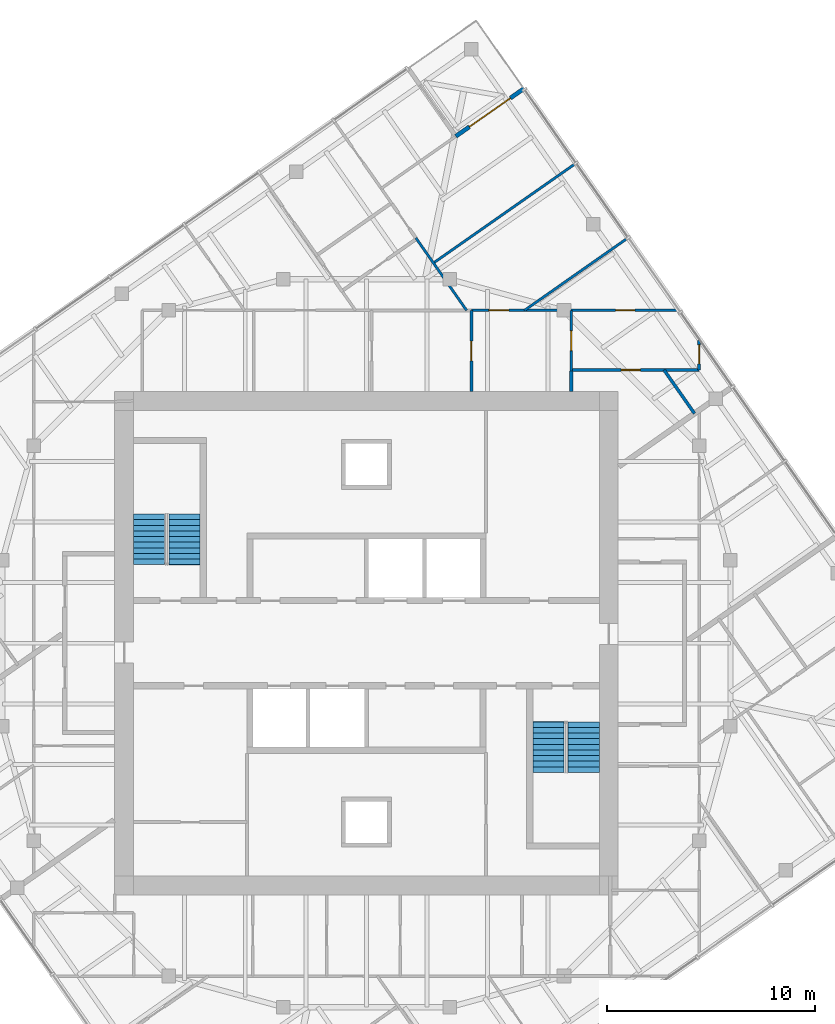
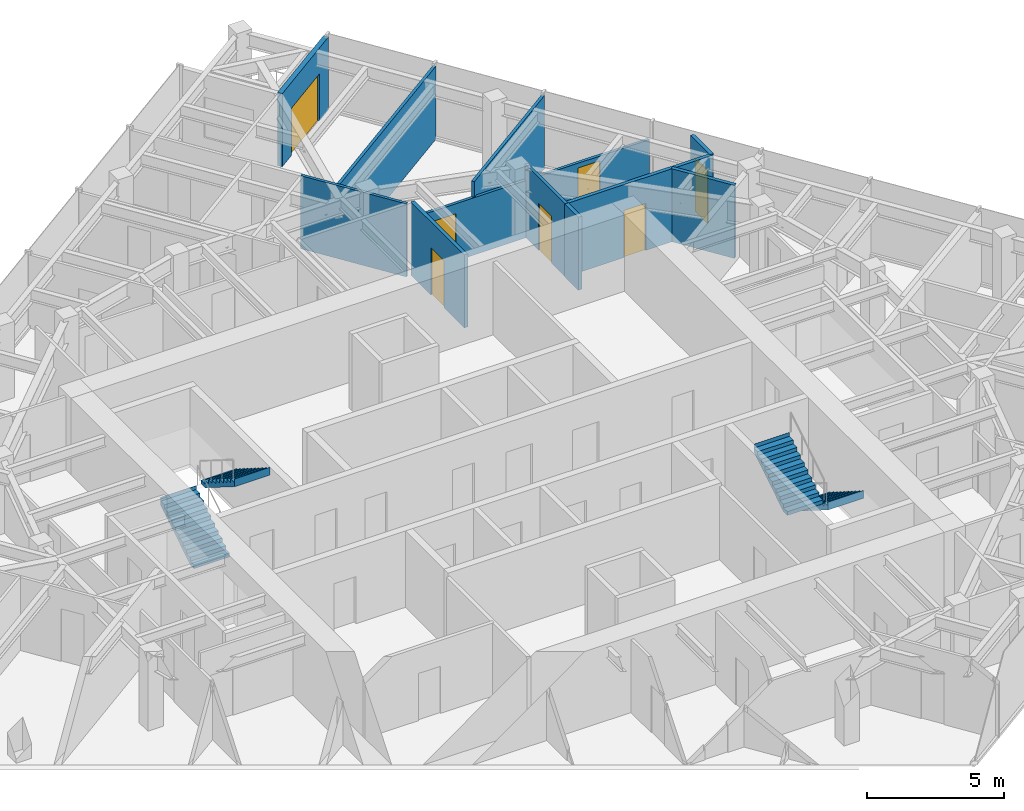
# One storey, part 11 of 12: 11 walls, 7 doors, 4 stair flights, 7 openings, 2 elements without a shape of their own.
"""IFC4 building model written with IfcOpenShell, lengths in metres."""

from ifc_helpers import new_model, si_unit, direction, frame, frame_2d, origin, place, context, subcontext, project, spatial, polyline, rectangle, outline, extrude, material, layer, layer_set, type_object, element, fill, aggregate, save


model = new_model("IFC4")

# Units and contexts
model_context = context("Model", 3, precision=1e-05, world=origin(), true_north=direction((0.0, 1.0)))
body_context = subcontext(model_context, "Body", "Model", "MODEL_VIEW")
ifc_project = project(units=[si_unit("LENGTHUNIT", "METRE"), si_unit("AREAUNIT", "SQUARE_METRE"), si_unit("VOLUMEUNIT", "CUBIC_METRE"), si_unit("PLANEANGLEUNIT", "RADIAN"), si_unit("MASSUNIT", "GRAM", prefix="KILO")], contexts=[model_context])

# Site, building, storey
site_placement = place(None, origin())
site = spatial("IfcSite", under=ifc_project, at=site_placement, CompositionType="ELEMENT")
building_placement = place(site_placement, origin())
building = spatial("IfcBuilding", under=site, at=building_placement, Name="Torsade Residences", CompositionType="ELEMENT")
storey_placement = place(building_placement, frame((0.0, 0.0, 254.0)))
storey = spatial("IfcBuildingStorey", under=building, at=storey_placement, Name="L70", CompositionType="ELEMENT", Elevation=254.0)

# Wall, opening, door
ifc_material_1 = material(Name="Plasterboard on steel stud", Category="steel")
ifc_layer_1 = layer(ifc_material_1, 0.1201171875)
ifc_layer_set_1 = layer_set([ifc_layer_1], Name="Plasterboard on steel stud")
wall_type_1 = type_object("IfcWallType", Name="PARTITION 120", PredefinedType="PARTITIONING", material=ifc_layer_set_1)
wall_1_placement = place(storey_placement, frame((49.849853515625, 46.0, 0.0), z_axis=(0.0, 0.0, 1.0), x_axis=(0.0, -1.0, 0.0)))
wall_1 = element("IfcWall", 1, at=wall_1_placement, inside=storey, type_object=wall_type_1, Name="Partition L70", PredefinedType="PARTITIONING", context=body_context, shape_type="SweptSolid", body=[
    extrude(rectangle(XDim=2.913330078125, YDim=0.1201171875, at=frame_2d((1.45654296875, 0.0))), origin(), (0.0, 0.0, 1.0), 3.25),
])
opening_1_placement = place(wall_1_placement, frame((0.976806640625, 0.0, 0.0)))
opening_1 = element("IfcOpeningElement", 2, at=opening_1_placement, cuts=wall_1, Name="Opening D05", PredefinedType="OPENING", context=body_context, shape_type="SweptSolid", body=[
    extrude(rectangle(XDim=0.9599609375, YDim=2.10009765625, at=frame_2d((0.47998046875, 1.050048828125))), frame((0.0, 0.070068359375, 0.0), z_axis=(0.0, -1.0, 0.0), x_axis=(1.0, 0.0, 0.0)), (0.0, 0.0, 1.0), 0.14013671875),
])
ifc_material_2 = material(Name="Hollow-core timber door in a steel cavity frame", Category="steel")
door_type_1 = type_object("IfcDoorType", Name="BATHROOM CAVITY SLIDING DOOR 960", OperationType="SLIDING_TO_LEFT", PredefinedType="DOOR", material=ifc_material_2)
door_1_placement = place(opening_1_placement, origin())
door_1 = element("IfcDoor", 3, at=door_1_placement, inside=storey, type_object=door_type_1, Name="Door Laundry to Study", OperationType="SLIDING_TO_LEFT", OverallHeight=2.10009765625, OverallWidth=0.9599609375, PredefinedType="DOOR", context=body_context, shape_type="SweptSolid", body=[
    extrude(rectangle(XDim=0.9599609375, YDim=2.10009765625, at=frame_2d((0.47998046875, 1.050048828125))), frame((0.0, 0.02490234375, 0.0), z_axis=(0.0, -1.0, 0.0), x_axis=(1.0, 0.0, 0.0)), (0.0, 0.0, 1.0), 0.050048828125),
])
fill(opening_1, door_1)

# Wall, openings, doors
wall_2_placement = place(storey_placement, frame((45.05126953125, 46.0, 0.0), z_axis=(0.0, 0.0, 1.0), x_axis=(1.0, 0.0, 0.0)))
wall_2 = element("IfcWall", 4, at=wall_2_placement, inside=storey, type_object=wall_type_1, Name="Partition L70", PredefinedType="PARTITIONING", context=body_context, shape_type="SweptSolid", body=[
    extrude(rectangle(XDim=9.943115234375, YDim=0.1201171875, at=frame_2d((4.9716796875, 0.0))), origin(), (0.0, 0.0, 1.0), 2.549072265625),
])
opening_2_placement = place(wall_2_placement, frame((0.83544921875, 0.0, 0.0)))
opening_2 = element("IfcOpeningElement", 5, at=opening_2_placement, cuts=wall_2, Name="Opening D05", PredefinedType="OPENING", context=body_context, shape_type="SweptSolid", body=[
    extrude(rectangle(XDim=0.9599609375, YDim=2.10009765625, at=frame_2d((0.47998046875, 1.050048828125))), frame((0.0, 0.070068359375, 0.0), z_axis=(0.0, -1.0, 0.0), x_axis=(1.0, 0.0, 0.0)), (0.0, 0.0, 1.0), 0.14013671875),
])
opening_3_placement = place(wall_2_placement, frame((6.935302734375, 0.0, 0.0)))
opening_3 = element("IfcOpeningElement", 6, at=opening_3_placement, cuts=wall_2, Name="Opening D02", PredefinedType="OPENING", context=body_context, shape_type="SweptSolid", body=[
    extrude(rectangle(XDim=0.919921875, YDim=2.340087890625, at=frame_2d((0.4599609375, 1.169921875))), frame((0.0, 0.070068359375, 0.0), z_axis=(0.0, -1.0, 0.0), x_axis=(1.0, 0.0, 0.0)), (0.0, 0.0, 1.0), 0.14013671875),
])
door_2_placement = place(opening_2_placement, origin())
door_2 = element("IfcDoor", 7, at=door_2_placement, inside=storey, type_object=door_type_1, Name="Door Laundry to Bedroom 2", OperationType="SLIDING_TO_LEFT", OverallHeight=2.10009765625, OverallWidth=0.9599609375, PredefinedType="DOOR", context=body_context, shape_type="SweptSolid", body=[
    extrude(rectangle(XDim=0.9599609375, YDim=2.10009765625, at=frame_2d((0.47998046875, 1.050048828125))), frame((0.0, 0.02490234375, 0.0), z_axis=(0.0, -1.0, 0.0), x_axis=(1.0, 0.0, 0.0)), (0.0, 0.0, 1.0), 0.050048828125),
])
fill(opening_2, door_2)
ifc_material_3 = material(Name="Hollow-core timber door", Category="wood")
door_type_2 = type_object("IfcDoorType", Name="INTERNAL DOOR 920x2340", OperationType="NOTDEFINED", PredefinedType="DOOR", material=ifc_material_3)
door_3_placement = place(opening_3_placement, origin())
door_3 = element("IfcDoor", 8, at=door_3_placement, inside=storey, type_object=door_type_2, Name="Door Study to Media room 2", OperationType="SINGLE_SWING_LEFT", OverallHeight=2.340087890625, OverallWidth=0.919921875, PredefinedType="DOOR", context=body_context, shape_type="SweptSolid", body=[
    extrude(rectangle(XDim=0.919921875, YDim=2.340087890625, at=frame_2d((0.4599609375, 1.169921875))), frame((0.0, 0.02490234375, 0.0), z_axis=(0.0, -1.0, 0.0), x_axis=(1.0, 0.0, 0.0)), (0.0, 0.0, 1.0), 0.050048828125),
])
fill(opening_3, door_3)

# Walls
wall_3_placement = place(storey_placement, frame((50.05078125, 53.060302734375, 0.0), z_axis=(0.0, 0.0, 1.0), x_axis=(-0.819152099525, -0.573576357466, 0.0)))
element("IfcWall", 9, at=wall_3_placement, inside=storey, type_object=wall_type_1, Name="Partition L70", PredefinedType="PARTITIONING", context=body_context, shape_type="SweptSolid", body=[
    extrude(rectangle(XDim=8.3349609375, YDim=0.1201171875, at=frame_2d((4.16748046875, 0.0))), origin(), (0.0, 0.0, 1.0), 3.25),
])
wall_4_placement = place(storey_placement, frame((44.8193359375, 46.0, 0.0), z_axis=(0.0, 0.0, 1.0), x_axis=(-0.573566368211, 0.819159093985, 0.0)))
element("IfcWall", 10, at=wall_4_placement, inside=storey, type_object=wall_type_1, Name="Partition L70", PredefinedType="PARTITIONING", context=body_context, shape_type="SweptSolid", body=[
    extrude(rectangle(XDim=4.252685546875, YDim=0.1201171875, at=frame_2d((2.12646484375, 0.0))), origin(), (0.0, 0.0, 1.0), 3.25),
])
wall_5_placement = place(storey_placement, frame((52.560302734375, 49.4765625, 0.0), z_axis=(0.0, 0.0, 1.0), x_axis=(-0.81915432861, -0.573573173989, 0.0)))
element("IfcWall", 11, at=wall_5_placement, inside=storey, type_object=wall_type_1, Name="Partition L70", PredefinedType="PARTITIONING", context=body_context, shape_type="SweptSolid", body=[
    extrude(rectangle(XDim=6.061279296875, YDim=0.1201171875, at=frame_2d((3.03076171875, 0.0))), origin(), (0.0, 0.0, 1.0), 3.25),
])

# Wall, opening, door
ifc_material_4 = material(Name="Reinforced blockwork", Category="masonry")
ifc_layer_2 = layer(ifc_material_4, 0.14990234375)
ifc_layer_set_2 = layer_set([ifc_layer_2], Name="Reinforced blockwork")
wall_type_2 = type_object("IfcWallType", Name="SERVICE ROOM WALL 150", PredefinedType="SOLIDWALL", material=ifc_layer_set_2)
wall_6_placement = place(storey_placement, frame((45.05126953125, 42.10009765625, 0.0), z_axis=(0.0, 0.0, 1.0), x_axis=(0.0, 1.0, 0.0)))
wall_6 = element("IfcWall", 12, at=wall_6_placement, inside=storey, type_object=wall_type_2, Name="Service room wall L70", PredefinedType="SOLIDWALL", context=body_context, shape_type="SweptSolid", body=[
    extrude(rectangle(XDim=3.89990234375, YDim=0.14990234375, at=frame_2d((1.949951171875, 0.0))), origin(), (0.0, 0.0, 1.0), 3.25),
])
opening_4_placement = place(wall_6_placement, frame((1.469970703125, 0.0, 0.0)))
opening_4 = element("IfcOpeningElement", 13, at=opening_4_placement, cuts=wall_6, Name="Opening D05", PredefinedType="OPENING", context=body_context, shape_type="SweptSolid", body=[
    extrude(rectangle(XDim=0.9599609375, YDim=2.10009765625, at=frame_2d((0.47998046875, 1.050048828125))), frame((0.0, 0.0849609375, 0.0), z_axis=(0.0, -1.0, 0.0), x_axis=(1.0, 0.0, 0.0)), (0.0, 0.0, 1.0), 0.169921875),
])
door_4_placement = place(opening_4_placement, origin())
door_4 = element("IfcDoor", 14, at=door_4_placement, inside=storey, type_object=door_type_1, Name="Door Linen store to Laundry", OperationType="SLIDING_TO_LEFT", OverallHeight=2.10009765625, OverallWidth=0.9599609375, PredefinedType="DOOR", context=body_context, shape_type="SweptSolid", body=[
    extrude(rectangle(XDim=0.9599609375, YDim=2.10009765625, at=frame_2d((0.47998046875, 1.050048828125))), frame((0.0, 0.02490234375, 0.0), z_axis=(0.0, -1.0, 0.0), x_axis=(1.0, 0.0, 0.0)), (0.0, 0.0, 1.0), 0.050048828125),
])
fill(opening_4, door_4)

# Wall
wall_7_placement = place(storey_placement, frame((49.849853515625, 43.086669921875, 0.0), z_axis=(0.0, 0.0, 1.0), x_axis=(0.0, -1.0, 0.0)))
element("IfcWall", 15, at=wall_7_placement, inside=storey, type_object=wall_type_2, Name="Service room wall L70", PredefinedType="SOLIDWALL", context=body_context, shape_type="SweptSolid", body=[
    extrude(rectangle(XDim=0.986572265625, YDim=0.14990234375, at=frame_2d((0.4931640625, 0.0))), origin(), (0.0, 0.0, 1.0), 3.25),
])

# Wall, opening, door
wall_8_placement = place(storey_placement, frame((56.0, 43.13671875, 0.0), z_axis=(0.0, 0.0, 1.0), x_axis=(-1.0, 0.0, 0.0)))
wall_8 = element("IfcWall", 16, at=wall_8_placement, inside=storey, type_object=wall_type_2, Name="Service room wall L70", PredefinedType="SOLIDWALL", context=body_context, shape_type="SweptSolid", body=[
    extrude(rectangle(XDim=6.150146484375, YDim=0.14990234375, at=frame_2d((3.0751953125, 0.0))), origin(), (0.0, 0.0, 1.0), 3.25),
])
opening_5_placement = place(wall_8_placement, frame((2.829345703125, 0.0, 0.0)))
opening_5 = element("IfcOpeningElement", 17, at=opening_5_placement, cuts=wall_8, Name="Opening D02L", PredefinedType="OPENING", context=body_context, shape_type="SweptSolid", body=[
    extrude(rectangle(XDim=0.919921875, YDim=2.10009765625, at=frame_2d((0.4599609375, 1.050048828125))), frame((0.0, 0.0849609375, 0.0), z_axis=(0.0, -1.0, 0.0), x_axis=(1.0, 0.0, 0.0)), (0.0, 0.0, 1.0), 0.169921875),
])
ifc_material_5 = material(Name="Hollow-core timber door", Category="wood")
door_type_3 = type_object("IfcDoorType", Name="INTERNAL DOOR 920x2100", OperationType="NOTDEFINED", PredefinedType="DOOR", material=ifc_material_5)
door_5_placement = place(opening_5_placement, origin())
door_5 = element("IfcDoor", 18, at=door_5_placement, inside=storey, type_object=door_type_3, Name="Door Study to Linen store 2", OperationType="SINGLE_SWING_LEFT", OverallHeight=2.10009765625, OverallWidth=0.919921875, PredefinedType="DOOR", context=body_context, shape_type="SweptSolid", body=[
    extrude(rectangle(XDim=0.919921875, YDim=2.10009765625, at=frame_2d((0.4599609375, 1.050048828125))), frame((0.0, 0.02490234375, 0.0), z_axis=(0.0, -1.0, 0.0), x_axis=(1.0, 0.0, 0.0)), (0.0, 0.0, 1.0), 0.050048828125),
])
fill(opening_5, door_5)

wall_9_placement = place(storey_placement, frame((56.0, 44.56396484375, 0.0), z_axis=(0.0, 0.0, 1.0), x_axis=(0.0, -1.0, 0.0)))
wall_9 = element("IfcWall", 19, at=wall_9_placement, inside=storey, type_object=wall_type_2, Name="Service room wall L70", PredefinedType="SOLIDWALL", context=body_context, shape_type="SweptSolid", body=[
    extrude(rectangle(XDim=1.42724609375, YDim=0.14990234375, at=frame_2d((0.713623046875, 0.0))), origin(), (0.0, 0.0, 1.0), 3.25),
])
opening_6_placement = place(wall_9_placement, frame((0.21875, 0.0, 0.0)))
opening_6 = element("IfcOpeningElement", 20, at=opening_6_placement, cuts=wall_9, Name="Opening D02", PredefinedType="OPENING", context=body_context, shape_type="SweptSolid", body=[
    extrude(rectangle(XDim=0.919921875, YDim=2.340087890625, at=frame_2d((0.4599609375, 1.169921875))), frame((0.0, 0.0849609375, 0.0), z_axis=(0.0, -1.0, 0.0), x_axis=(1.0, 0.0, 0.0)), (0.0, 0.0, 1.0), 0.169921875),
])
door_6_placement = place(opening_6_placement, origin())
door_6 = element("IfcDoor", 21, at=door_6_placement, inside=storey, type_object=door_type_2, Name="Door Study to Linen store 3", OperationType="SINGLE_SWING_RIGHT", OverallHeight=2.340087890625, OverallWidth=0.919921875, PredefinedType="DOOR", context=body_context, shape_type="SweptSolid", body=[
    extrude(rectangle(XDim=0.919921875, YDim=2.340087890625, at=frame_2d((0.4599609375, 1.169921875))), frame((0.0, 0.02490234375, 0.0), z_axis=(0.0, -1.0, 0.0), x_axis=(1.0, 0.0, 0.0)), (0.0, 0.0, 1.0), 0.050048828125),
])
fill(opening_6, door_6)

# Wall
wall_10_placement = place(storey_placement, frame((54.310302734375, 43.13671875, 0.0), z_axis=(0.0, 0.0, 1.0), x_axis=(0.573513690046, -0.819195976144, 0.0)))
element("IfcWall", 22, at=wall_10_placement, inside=storey, type_object=wall_type_2, Name="Service room wall L70", PredefinedType="SOLIDWALL", context=body_context, shape_type="SweptSolid", body=[
    extrude(rectangle(XDim=2.552978515625, YDim=0.14990234375, at=frame_2d((1.2763671875, 0.0))), origin(), (0.0, 0.0, 1.0), 3.25),
])

# Wall, opening, door
ifc_material_6 = material(Name="Stone-faced precast concrete 40 MPa panel", Category="masonry")
ifc_layer_3 = layer(ifc_material_6, 0.199951171875)
ifc_layer_set_3 = layer_set([ifc_layer_3], Name="Stone-faced precast concrete 40 MPa panel")
wall_type_3 = type_object("IfcWallType", Name="TERRACE WALL 200", PredefinedType="SOLIDWALL", material=ifc_layer_set_3)
wall_11_placement = place(storey_placement, frame((47.57421875, 56.6669921875, 0.0), z_axis=(0.0, 0.0, 1.0), x_axis=(-0.819165963305, -0.573556557423, 0.0)))
wall_11 = element("IfcWall", 23, at=wall_11_placement, inside=storey, type_object=wall_type_3, Name="Terrace wall L70 5", PredefinedType="SOLIDWALL", context=body_context, shape_type="SweptSolid", body=[
    extrude(rectangle(XDim=4.0, YDim=0.199951171875, at=frame_2d((2.0, 0.0))), origin(), (0.0, 0.0, 1.0), 3.25),
])
opening_7_placement = place(wall_11_placement, frame((0.800048828125, 0.0, 0.0)))
opening_7 = element("IfcOpeningElement", 24, at=opening_7_placement, cuts=wall_11, Name="Opening D10A", PredefinedType="OPENING", context=body_context, shape_type="SweptSolid", body=[
    extrude(rectangle(XDim=2.39990234375, YDim=2.10009765625, at=frame_2d((1.199951171875, 1.050048828125))), frame((0.0, 0.10986328125, 0.0), z_axis=(0.0, -1.0, 0.0), x_axis=(1.0, 0.0, 0.0)), (0.0, 0.0, 1.0), 0.219970703125),
])
ifc_material_7 = material(Name="Aluminium-framed glass door", Category="aluminium")
door_type_4 = type_object("IfcDoorType", Name="TERRACE SLIDING DOOR 2400x2100", OperationType="SLIDING_TO_LEFT", PredefinedType="DOOR", material=ifc_material_7)
door_7_placement = place(opening_7_placement, origin())
door_7 = element("IfcDoor", 25, at=door_7_placement, inside=storey, type_object=door_type_4, Name="Terrace door L70 5", OperationType="SLIDING_TO_LEFT", OverallHeight=2.10009765625, OverallWidth=2.39990234375, PredefinedType="DOOR", context=body_context, shape_type="SweptSolid", body=[
    extrude(rectangle(XDim=2.39990234375, YDim=2.10009765625, at=frame_2d((1.199951171875, 1.050048828125))), frame((0.0, 0.02490234375, 0.0), z_axis=(0.0, -1.0, 0.0), x_axis=(1.0, 0.0, 0.0)), (0.0, 0.0, 1.0), 0.050048828125),
])
fill(opening_7, door_7)

# Stair, stair flights
ifc_material_8 = material(Name="Precast concrete 40 MPa", Category="concrete")
stair_type = type_object("IfcStairType", Name="HALF-TURN FIRE STAIR 1500x3400", PredefinedType="HALF_TURN_STAIR", material=ifc_material_8)
stair_1_placement = place(storey_placement, origin())
stair_1 = element("IfcStair", 26, at=stair_1_placement, inside=storey, type_object=stair_type, Name="Stair ST1 L70", PredefinedType="HALF_TURN_STAIR")
ifc_material_9 = material(Name="Precast concrete 40 MPa", Category="concrete")
stair_flight_type = type_object("IfcStairFlightType", Name="PRECAST STAIR FLIGHT 1500x1700", PredefinedType="STRAIGHT", material=ifc_material_9)
stair_flight_1_placement = place(storey_placement, frame((29.550048828125, 33.780029296875, 0.0), z_axis=(0.0, 0.0, 1.0), x_axis=(0.0, 1.0, 0.0)))
stair_flight_1 = element("IfcStairFlight", 27, at=stair_flight_1_placement, type_object=stair_flight_type, Name="ST1 flight 1", NumberOfRisers=10, NumberOfTreads=9, PredefinedType="STRAIGHT", RiserHeight=0.17, TreadLength=0.27, context=body_context, shape_type="SweptSolid", body=[
    extrude(outline(polyline([(0.0, 0.0), (0.0, 0.169921875), (0.27001953125, 0.169921875), (0.27001953125, 0.340087890625), (0.5400390625, 0.340087890625), (0.5400390625, 0.510009765625), (0.81005859375, 0.510009765625), (0.81005859375, 0.679931640625), (1.080078125, 0.679931640625), (1.080078125, 0.85009765625), (1.35009765625, 0.85009765625), (1.35009765625, 1.02001953125), (1.6201171875, 1.02001953125), (1.6201171875, 1.18994140625), (1.889892578125, 1.18994140625), (1.889892578125, 1.360107421875), (2.159912109375, 1.360107421875), (2.159912109375, 1.530029296875), (2.429931640625, 1.530029296875), (2.429931640625, 1.699951171875), (2.43994140625, 1.699951171875), (2.43994140625, 1.352783203125), (2.429931640625, 1.352783203125), (0.28125, 0.0), (0.0, 0.0)])), frame((0.0, 0.75, 0.0), z_axis=(0.0, -1.0, 0.0), x_axis=(1.0, 0.0, 0.0)), (0.0, 0.0, 1.0), 1.5),
])
stair_flight_2_placement = place(storey_placement, frame((31.25, 36.2099609375, 1.699951171875), z_axis=(0.0, 0.0, 1.0), x_axis=(0.0, -1.0, 0.0)))
stair_flight_2 = element("IfcStairFlight", 28, at=stair_flight_2_placement, type_object=stair_flight_type, Name="ST1 flight 2", NumberOfRisers=10, NumberOfTreads=9, PredefinedType="STRAIGHT", RiserHeight=0.17, TreadLength=0.27, context=body_context, shape_type="SweptSolid", body=[
    extrude(outline(polyline([(0.0, 0.0), (0.0, 0.169921875), (0.27001953125, 0.169921875), (0.27001953125, 0.340087890625), (0.5400390625, 0.340087890625), (0.5400390625, 0.510009765625), (0.81005859375, 0.510009765625), (0.81005859375, 0.679931640625), (1.080078125, 0.679931640625), (1.080078125, 0.85009765625), (1.35009765625, 0.85009765625), (1.35009765625, 1.02001953125), (1.6201171875, 1.02001953125), (1.6201171875, 1.18994140625), (1.889892578125, 1.18994140625), (1.889892578125, 1.360107421875), (2.159912109375, 1.360107421875), (2.159912109375, 1.530029296875), (2.429931640625, 1.530029296875), (2.429931640625, 1.699951171875), (2.43994140625, 1.699951171875), (2.43994140625, 1.352783203125), (2.429931640625, 1.352783203125), (0.28125, 0.0), (0.0, 0.0)])), frame((0.0, 0.75, 0.0), z_axis=(0.0, -1.0, 0.0), x_axis=(1.0, 0.0, 0.0)), (0.0, 0.0, 1.0), 1.5),
])
aggregate(stair_1, [stair_flight_1, stair_flight_2])

stair_2_placement = place(storey_placement, origin())
stair_2 = element("IfcStair", 29, at=stair_2_placement, inside=storey, type_object=stair_type, Name="Stair ST2 L70", PredefinedType="HALF_TURN_STAIR")
stair_flight_3_placement = place(storey_placement, frame((50.449951171875, 26.219970703125, 0.0), z_axis=(0.0, 0.0, 1.0), x_axis=(0.0, -1.0, 0.0)))
stair_flight_3 = element("IfcStairFlight", 30, at=stair_flight_3_placement, type_object=stair_flight_type, Name="ST2 flight 1", NumberOfRisers=10, NumberOfTreads=9, PredefinedType="STRAIGHT", RiserHeight=0.17, TreadLength=0.27, context=body_context, shape_type="SweptSolid", body=[
    extrude(outline(polyline([(0.0, 0.0), (0.0, 0.169921875), (0.27001953125, 0.169921875), (0.27001953125, 0.340087890625), (0.5400390625, 0.340087890625), (0.5400390625, 0.510009765625), (0.81005859375, 0.510009765625), (0.81005859375, 0.679931640625), (1.080078125, 0.679931640625), (1.080078125, 0.85009765625), (1.35009765625, 0.85009765625), (1.35009765625, 1.02001953125), (1.6201171875, 1.02001953125), (1.6201171875, 1.18994140625), (1.889892578125, 1.18994140625), (1.889892578125, 1.360107421875), (2.159912109375, 1.360107421875), (2.159912109375, 1.530029296875), (2.429931640625, 1.530029296875), (2.429931640625, 1.699951171875), (2.43994140625, 1.699951171875), (2.43994140625, 1.352783203125), (2.429931640625, 1.352783203125), (0.28125, 0.0), (0.0, 0.0)])), frame((0.0, 0.75, 0.0), z_axis=(0.0, -1.0, 0.0), x_axis=(1.0, 0.0, 0.0)), (0.0, 0.0, 1.0), 1.5),
])
stair_flight_4_placement = place(storey_placement, frame((48.75, 23.7900390625, 1.699951171875), z_axis=(0.0, 0.0, 1.0), x_axis=(0.0, 1.0, 0.0)))
stair_flight_4 = element("IfcStairFlight", 31, at=stair_flight_4_placement, type_object=stair_flight_type, Name="ST2 flight 2", NumberOfRisers=10, NumberOfTreads=9, PredefinedType="STRAIGHT", RiserHeight=0.17, TreadLength=0.27, context=body_context, shape_type="SweptSolid", body=[
    extrude(outline(polyline([(0.0, 0.0), (0.0, 0.169921875), (0.27001953125, 0.169921875), (0.27001953125, 0.340087890625), (0.5400390625, 0.340087890625), (0.5400390625, 0.510009765625), (0.81005859375, 0.510009765625), (0.81005859375, 0.679931640625), (1.080078125, 0.679931640625), (1.080078125, 0.85009765625), (1.35009765625, 0.85009765625), (1.35009765625, 1.02001953125), (1.6201171875, 1.02001953125), (1.6201171875, 1.18994140625), (1.889892578125, 1.18994140625), (1.889892578125, 1.360107421875), (2.159912109375, 1.360107421875), (2.159912109375, 1.530029296875), (2.429931640625, 1.530029296875), (2.429931640625, 1.699951171875), (2.43994140625, 1.699951171875), (2.43994140625, 1.352783203125), (2.429931640625, 1.352783203125), (0.28125, 0.0), (0.0, 0.0)])), frame((0.0, 0.75, 0.0), z_axis=(0.0, -1.0, 0.0), x_axis=(1.0, 0.0, 0.0)), (0.0, 0.0, 1.0), 1.5),
])
aggregate(stair_2, [stair_flight_3, stair_flight_4])

save(model, "model.ifc")
